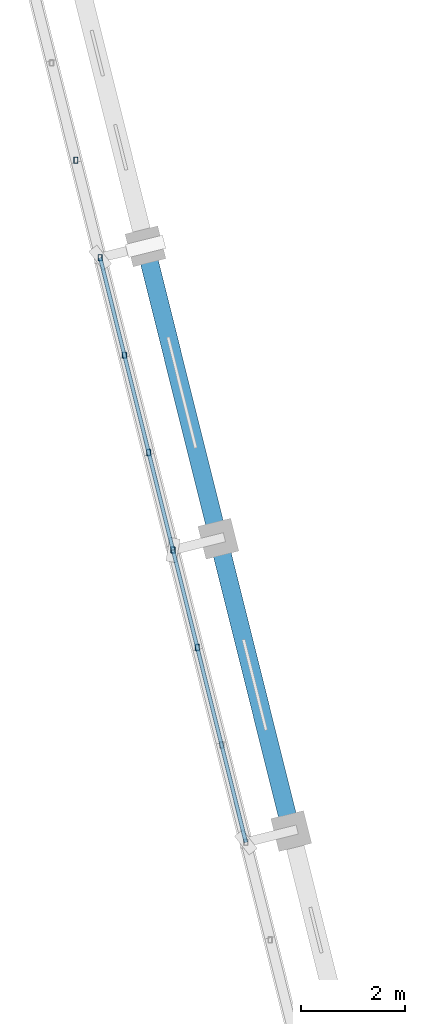
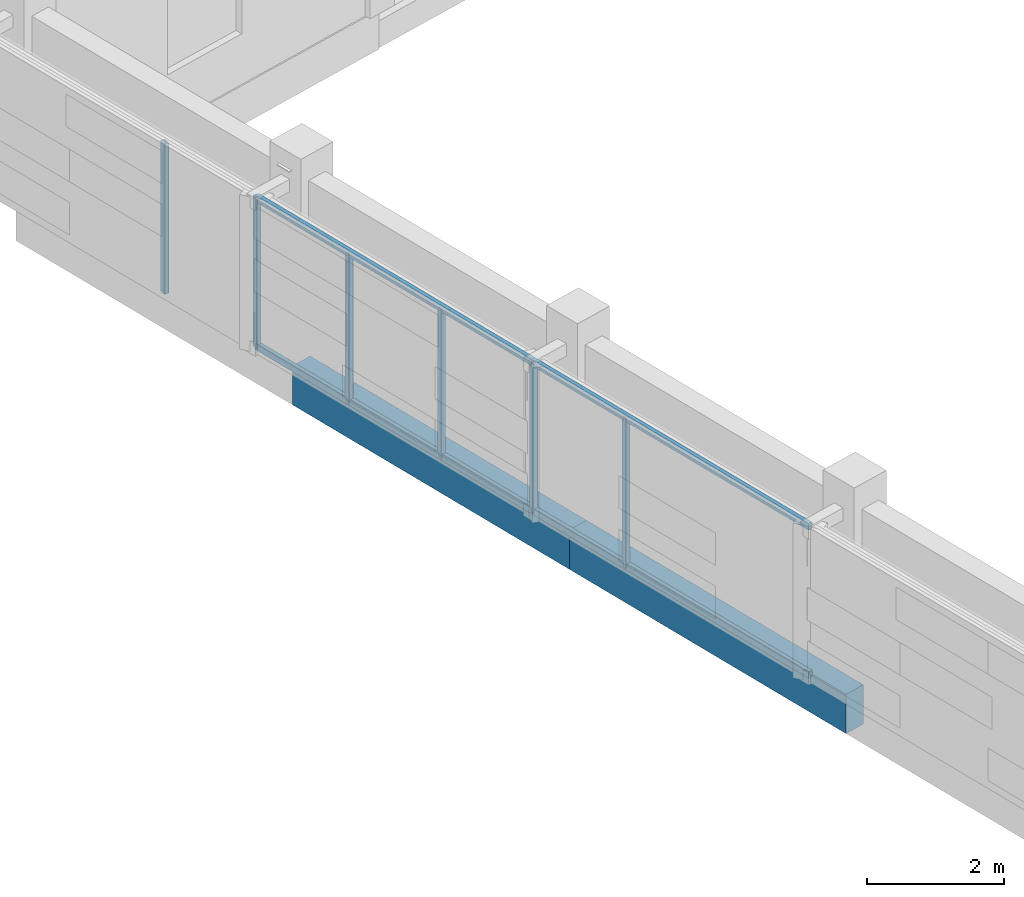
# One storey, part 17 of 117: 10 members, 2 beams.
"""IFC4 building model written with IfcOpenShell, lengths in metres."""

from ifc_helpers import new_model, si_unit, direction, frame, origin, origin_2d, place, context, subcontext, project, spatial, rectangle, hollow_rectangle, extrude, material, material_profile, profile_set, type_object, element, save


model = new_model("IFC4")

# Units and contexts
model_context = context("Model", 3, precision=1e-05, world=origin(), true_north=direction((0.0, 1.0)))
body_context = subcontext(model_context, "Body", "Model", "MODEL_VIEW")
ifc_project = project(units=[si_unit("LENGTHUNIT", "METRE"), si_unit("AREAUNIT", "SQUARE_METRE"), si_unit("VOLUMEUNIT", "CUBIC_METRE"), si_unit("PLANEANGLEUNIT", "RADIAN"), si_unit("MASSUNIT", "GRAM", prefix="KILO")], contexts=[model_context])

# Site, building, storey
site_placement = place(None, origin())
site = spatial("IfcSite", under=ifc_project, at=site_placement, CompositionType="ELEMENT")
building_placement = place(site_placement, origin())
building = spatial("IfcBuilding", under=site, at=building_placement, Name="Cinderway Yard Community Centre", CompositionType="ELEMENT")
storey_placement = place(building_placement, frame((0.0, 0.0, 9.0)))
storey = spatial("IfcBuildingStorey", under=building, at=storey_placement, Name="L02", CompositionType="ELEMENT", Elevation=9.0)

# Members
ifc_material_1 = material(Name="Steel S355", Category="steel")
ifc_material_profile_1 = material_profile(ifc_material_1, hollow_rectangle(XDim=0.080078125, YDim=0.1201171875, WallThickness=0.00634765625, InnerFilletRadius=0.00634765625, OuterFilletRadius=0.0126953125, at=origin_2d()), Name="Steel S355")
ifc_profile_set_1 = profile_set([ifc_material_profile_1], Name="Steel S355")
member_type = type_object("IfcMemberType", Name="ENV-MEM-SCREEN-RAIL-120", PredefinedType="STRINGER", material=ifc_profile_set_1)
for number, where, z_axis, x_axis, name in (
    (1, (13.323974609375, 47.409912109375, 0.7099609375), (-0.241931362474, 0.97029336587, 0.0), (-0.97029336587, -0.241931362474, 0.0), "Screen support rail 0879-BOT"),
    (2, (13.323974609375, 47.409912109375, 3.340087890625), (-0.241931362474, 0.97029336587, 0.0), (-0.97029336587, -0.241931362474, 0.0), "Screen support rail 0880-TOP"),
):
    element("IfcMember", number, at=place(storey_placement, frame(where, z_axis=z_axis, x_axis=x_axis)), inside=storey, type_object=member_type, Name=name, PredefinedType="STRINGER", context=body_context, shape_type="SweptSolid", body=[
        extrude(hollow_rectangle(XDim=0.080078125, YDim=0.1201171875, WallThickness=0.00634765625, InnerFilletRadius=0.00634765625, OuterFilletRadius=0.0126953125, at=origin_2d()), origin(), (0.0, 0.0, 1.0), 5.799560546875),
    ])
for number, where, z_axis, x_axis, name in (
    (3, (12.388916015625, 51.160888671875, 0.68994140625), (0.0, 0.0, 1.0), (1.0, 0.0, 0.0), "Screen vertical mullion 0882"),
    (4, (11.9208984375, 53.037109375, 0.68994140625), (0.0, 0.0, 1.0), (1.0, 0.0, 0.0), "Screen vertical mullion 0883"),
):
    element("IfcMember", number, at=place(storey_placement, frame(where, z_axis=z_axis, x_axis=x_axis)), inside=storey, type_object=member_type, Name=name, PredefinedType="STRINGER", context=body_context, shape_type="SweptSolid", body=[
        extrude(hollow_rectangle(XDim=0.080078125, YDim=0.1201171875, WallThickness=0.00634765625, InnerFilletRadius=0.00634765625, OuterFilletRadius=0.0126953125, at=origin_2d()), origin(), (0.0, 0.0, 1.0), 2.670166015625),
    ])
for number, where, z_axis, x_axis, name in (
    (5, (11.9208984375, 53.037109375, 0.7099609375), (-0.241862090534, 0.970310635396, 0.0), (-0.970310635396, -0.241862090534, 0.0), "Screen support rail 0885-BOT"),
    (6, (11.9208984375, 53.037109375, 3.340087890625), (-0.241862090534, 0.970310635396, 0.0), (-0.970310635396, -0.241862090534, 0.0), "Screen support rail 0886-TOP"),
):
    element("IfcMember", number, at=place(storey_placement, frame(where, z_axis=z_axis, x_axis=x_axis)), inside=storey, type_object=member_type, Name=name, PredefinedType="STRINGER", context=body_context, shape_type="SweptSolid", body=[
        extrude(hollow_rectangle(XDim=0.080078125, YDim=0.1201171875, WallThickness=0.00634765625, InnerFilletRadius=0.00634765625, OuterFilletRadius=0.0126953125, at=origin_2d()), origin(), (0.0, 0.0, 1.0), 5.800048828125),
    ])
for number, where, z_axis, x_axis, name in (
    (7, (11.452880859375, 54.9130859375, 0.68994140625), (0.0, 0.0, 1.0), (1.0, 0.0, 0.0), "Screen vertical mullion 0887"),
    (8, (10.986083984375, 56.7890625, 0.68994140625), (0.0, 0.0, 1.0), (1.0, 0.0, 0.0), "Screen vertical mullion 0888"),
    (9, (10.51806640625, 58.6650390625, 0.68994140625), (0.0, 0.0, 1.0), (1.0, 0.0, 0.0), "Screen vertical mullion 0889"),
    (10, (10.050048828125, 60.541015625, 0.68994140625), (0.0, 0.0, 1.0), (1.0, 0.0, 0.0), "Screen vertical mullion 0893"),
):
    element("IfcMember", number, at=place(storey_placement, frame(where, z_axis=z_axis, x_axis=x_axis)), inside=storey, type_object=member_type, Name=name, PredefinedType="STRINGER", context=body_context, shape_type="SweptSolid", body=[
        extrude(hollow_rectangle(XDim=0.080078125, YDim=0.1201171875, WallThickness=0.00634765625, InnerFilletRadius=0.00634765625, OuterFilletRadius=0.0126953125, at=origin_2d()), origin(), (0.0, 0.0, 1.0), 2.670166015625),
    ])

# Beams
ifc_material_2 = material(Name="Concrete C35/45", Category="concrete")
ifc_material_profile_2 = material_profile(ifc_material_2, rectangle(XDim=0.35009765625, YDim=0.699951171875, at=origin_2d()), Name="Concrete C35/45")
ifc_profile_set_2 = profile_set([ifc_material_profile_2], Name="Concrete C35/45")
beam_type = type_object("IfcBeamType", Name="STR-BM-RC350X700", PredefinedType="BEAM", material=ifc_profile_set_2)
beam_1_placement = place(storey_placement, frame((14.197021484375, 47.6279296875, -0.35009765625), z_axis=(-0.241941244896, 0.97029090175, 0.0), x_axis=(-0.97029090175, -0.241941244896, 0.0)))
element("IfcBeam", 11, at=beam_1_placement, inside=storey, type_object=beam_type, Name="Main Hall west ring beam STR-BM-L02-BG07-0391", PredefinedType="BEAM", context=body_context, shape_type="SweptSolid", body=[
    extrude(rectangle(XDim=0.35009765625, YDim=0.699951171875, at=origin_2d()), origin(), (0.0, 0.0, 1.0), 5.79931640625),
])
beam_2_placement = place(storey_placement, frame((12.7939453125, 53.2548828125, -0.35009765625), z_axis=(-0.241852212657, 0.970313097527, 0.0), x_axis=(-0.970313097527, -0.241852212657, 0.0)))
element("IfcBeam", 12, at=beam_2_placement, inside=storey, type_object=beam_type, Name="Main Hall west ring beam STR-BM-L02-BG07-0392", PredefinedType="BEAM", context=body_context, shape_type="SweptSolid", body=[
    extrude(rectangle(XDim=0.35009765625, YDim=0.699951171875, at=origin_2d()), origin(), (0.0, 0.0, 1.0), 5.80029296875),
])

save(model, "model.ifc")
